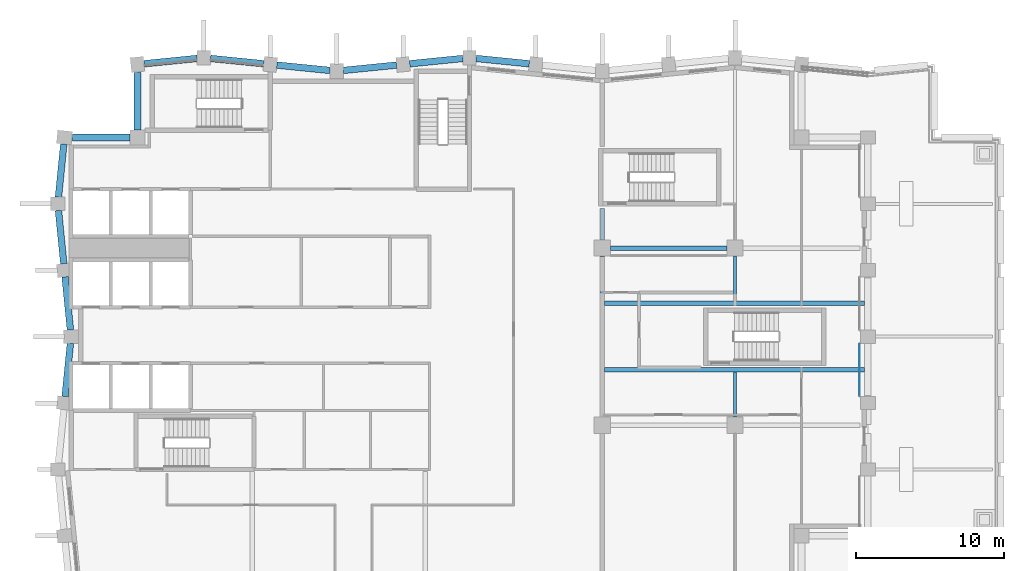
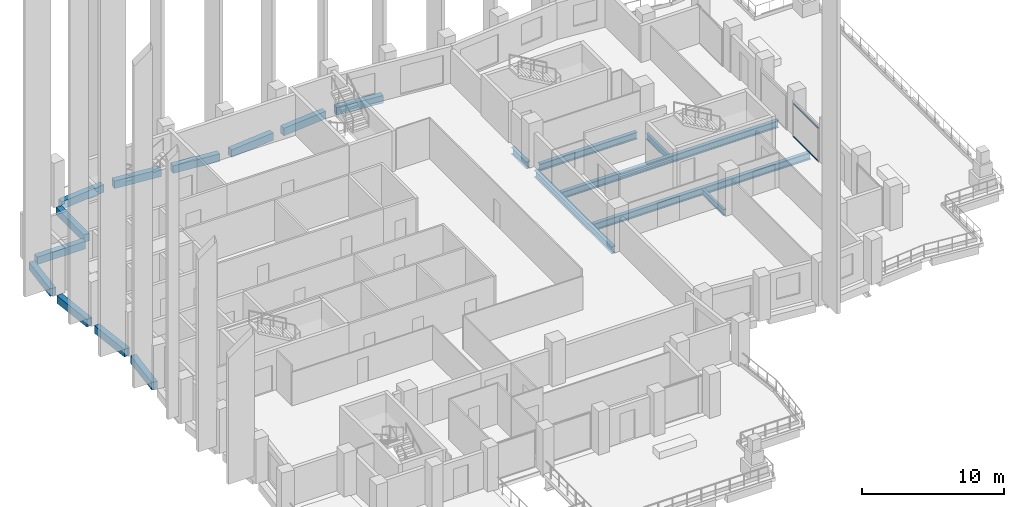
# One storey, part 7 of 19: 19 beams, 2 members, 1 element without a shape of its own.
"""IFC4 building model written with IfcOpenShell, lengths in metres."""

from ifc_helpers import new_model, si_unit, direction, frame, origin, origin_2d, place, context, subcontext, project, spatial, rectangle, i_section, extrude, material, material_profile, profile_set, type_object, element, aggregate, save


model = new_model("IFC4")

# Units and contexts
model_context = context("Model", 3, precision=1e-05, world=origin(), true_north=direction((0.0, 1.0)))
body_context = subcontext(model_context, "Body", "Model", "MODEL_VIEW")
ifc_project = project(units=[si_unit("LENGTHUNIT", "METRE"), si_unit("AREAUNIT", "SQUARE_METRE"), si_unit("VOLUMEUNIT", "CUBIC_METRE"), si_unit("PLANEANGLEUNIT", "RADIAN"), si_unit("MASSUNIT", "GRAM", prefix="KILO")], contexts=[model_context])

# Site, building, storey
site_placement = place(None, origin())
site = spatial("IfcSite", under=ifc_project, at=site_placement, CompositionType="ELEMENT")
building_placement = place(site_placement, origin())
building = spatial("IfcBuilding", under=site, at=building_placement, Name="Brondeck Convention Tower", CompositionType="ELEMENT")
storey_placement = place(building_placement, frame((0.0, 0.0, 198.800048828125)))
storey = spatial("IfcBuildingStorey", under=building, at=storey_placement, Name="L48", CompositionType="ELEMENT", Elevation=198.800048828125)

# Curtain wall, members
ifc_material_1 = material(Name="Aluminium, bronze anodised", Category="aluminium")
curtain_wall_type = type_object("IfcCurtainWallType", Name="Terrace door screen curtain wall", PredefinedType="NOTDEFINED", material=ifc_material_1)
curtain_wall_placement = place(storey_placement, origin())
curtain_wall = element("IfcCurtainWall", 1, at=curtain_wall_placement, inside=storey, type_object=curtain_wall_type, Name="ENV-CW6-L48-A-E54-03", PredefinedType="NOTDEFINED")
ifc_material_profile_1 = material_profile(ifc_material_1, rectangle(XDim=0.050048828125, YDim=0.10009765625, at=origin_2d()), Name="CW6 transom")
ifc_profile_set_1 = profile_set([ifc_material_profile_1], Name="Aluminium, bronze anodised")
member_type = type_object("IfcMemberType", Name="CW6 transom", PredefinedType="USERDEFINED", material=ifc_profile_set_1)
member_1_placement = place(storey_placement, frame((53.43994140625, 44.5, 0.02490234375), z_axis=(0.0, -1.0, 0.0), x_axis=(1.0, 0.0, 0.0)))
member_1 = element("IfcMember", 2, at=member_1_placement, type_object=member_type, Name="CW6 transom 1.1", ObjectType="TRANSOM", PredefinedType="USERDEFINED", context=body_context, shape_type="SweptSolid", body=[
    extrude(rectangle(XDim=0.050048828125, YDim=0.10009765625, at=origin_2d()), origin(), (0.0, 0.0, 1.0), 3.5),
])
member_2_placement = place(storey_placement, frame((53.43994140625, 44.5, 2.875), z_axis=(0.0, -1.0, 0.0), x_axis=(1.0, 0.0, 0.0)))
member_2 = element("IfcMember", 3, at=member_2_placement, type_object=member_type, Name="CW6 transom 1.2", ObjectType="TRANSOM", PredefinedType="USERDEFINED", context=body_context, shape_type="SweptSolid", body=[
    extrude(rectangle(XDim=0.050048828125, YDim=0.10009765625, at=origin_2d()), origin(), (0.0, 0.0, 1.0), 3.5),
])
aggregate(curtain_wall, [member_1, member_2])

# Beams
ifc_material_2 = material(Name="Steel S355", Category="steel")
ifc_material_profile_2 = material_profile(ifc_material_2, i_section(OverallWidth=0.199951171875, OverallDepth=0.5, WebThickness=0.01025390625, FlangeThickness=0.01611328125, FilletRadius=0.02099609375, at=origin_2d()), Name="IPE 500")
ifc_profile_set_2 = profile_set([ifc_material_profile_2], Name="Steel S355")
beam_type_1 = type_object("IfcBeamType", Name="Floor beam IPE 500", PredefinedType="BEAM", material=ifc_profile_set_2)
for number, where, z_axis, x_axis, name in (
    (4, (45.0, 39.550048828125, -0.550048828125), (0.0, 1.0, 0.0), (-1.0, 0.0, 0.0), "STR-FB-L48-003"),
    (5, (45.0, 47.39990234375, -0.550048828125), (0.0, 1.0, 0.0), (-1.0, 0.0, 0.0), "STR-FB-L48-004"),
):
    element("IfcBeam", number, at=place(storey_placement, frame(where, z_axis=z_axis, x_axis=x_axis)), inside=storey, type_object=beam_type_1, Name=name, PredefinedType="BEAM", context=body_context, shape_type="SweptSolid", body=[
        extrude(i_section(OverallWidth=0.199951171875, OverallDepth=0.5, WebThickness=0.01025390625, FlangeThickness=0.01611328125, FilletRadius=0.02099609375, at=origin_2d()), origin(), (0.0, 0.0, 1.0), 3.050048828125),
    ])
ifc_material_profile_3 = material_profile(ifc_material_2, i_section(OverallWidth=0.300048828125, OverallDepth=0.60009765625, WebThickness=0.015380859375, FlangeThickness=0.030029296875, FilletRadius=0.027099609375, at=origin_2d()), Name="HEB 600")
ifc_profile_set_3 = profile_set([ifc_material_profile_3], Name="Steel S355")
beam_type_2 = type_object("IfcBeamType", Name="Girder HEB 600", PredefinedType="BEAM", material=ifc_profile_set_3)
beam_1_placement = place(storey_placement, frame((36.550048828125, 51.0, -0.60009765625), z_axis=(1.0, 0.0, 0.0), x_axis=(0.0, 1.0, 0.0)))
element("IfcBeam", 6, at=beam_1_placement, inside=storey, type_object=beam_type_2, Name="STR-GR-L48-003", PredefinedType="BEAM", context=body_context, shape_type="SweptSolid", body=[
    extrude(i_section(OverallWidth=0.300048828125, OverallDepth=0.60009765625, WebThickness=0.015380859375, FlangeThickness=0.030029296875, FilletRadius=0.027099609375, at=origin_2d()), origin(), (0.0, 0.0, 1.0), 7.89990234375),
])
beam_2_placement = place(storey_placement, frame((36.0, 39.550048828125, -0.60009765625), z_axis=(0.0, 1.0, 0.0), x_axis=(-1.0, 0.0, 0.0)))
element("IfcBeam", 7, at=beam_2_placement, inside=storey, type_object=beam_type_2, Name="STR-GR-L48-006", PredefinedType="BEAM", context=body_context, shape_type="SweptSolid", body=[
    extrude(i_section(OverallWidth=0.300048828125, OverallDepth=0.60009765625, WebThickness=0.015380859375, FlangeThickness=0.030029296875, FilletRadius=0.027099609375, at=origin_2d()), origin(), (0.0, 0.0, 1.0), 10.89990234375),
])
beam_3_placement = place(storey_placement, frame((36.0, 51.550048828125, -0.60009765625), z_axis=(0.0, 1.0, 0.0), x_axis=(-1.0, 0.0, 0.0)))
element("IfcBeam", 8, at=beam_3_placement, inside=storey, type_object=beam_type_2, Name="STR-GR-L48-007", PredefinedType="BEAM", context=body_context, shape_type="SweptSolid", body=[
    extrude(i_section(OverallWidth=0.300048828125, OverallDepth=0.60009765625, WebThickness=0.015380859375, FlangeThickness=0.030029296875, FilletRadius=0.027099609375, at=origin_2d()), origin(), (0.0, 0.0, 1.0), 2.14990234375),
])
for number, where, z_axis, x_axis, name in (
    (9, (36.14990234375, 42.75, -0.60009765625), (1.0, 0.0, 0.0), (0.0, 1.0, 0.0), "STR-GR-L48-016"),
    (10, (36.14990234375, 47.25, -0.60009765625), (1.0, 0.0, 0.0), (0.0, 1.0, 0.0), "STR-GR-L48-017"),
):
    element("IfcBeam", number, at=place(storey_placement, frame(where, z_axis=z_axis, x_axis=x_axis)), inside=storey, type_object=beam_type_2, Name=name, PredefinedType="BEAM", context=body_context, shape_type="SweptSolid", body=[
        extrude(i_section(OverallWidth=0.300048828125, OverallDepth=0.60009765625, WebThickness=0.015380859375, FlangeThickness=0.030029296875, FilletRadius=0.027099609375, at=origin_2d()), origin(), (0.0, 0.0, 1.0), 17.625),
    ])
ifc_material_3 = material(Name="Concrete C50/60", Category="concrete")
ifc_material_profile_4 = material_profile(ifc_material_3, rectangle(XDim=0.449951171875, YDim=0.64990234375, at=origin_2d()), Name="Precast spandrel 450x650 Concrete C50/60")
ifc_profile_set_4 = profile_set([ifc_material_profile_4], Name="Concrete C50/60")
beam_type_3 = type_object("IfcBeamType", Name="Precast spandrel 450x650 Concrete C50/60", PredefinedType="SPANDREL", material=ifc_profile_set_4)
for number, where, z_axis, x_axis, name in (
    (11, (31.05224609375, 63.494873046875, -0.324951171875), (-0.995040528141, 0.099470334057, 0.0), (-0.099470334057, -0.995040528141, 0.0), "STR-SP-L48-009"),
    (12, (26.550048828125, 63.85498046875, -0.324951171875), (-0.995040528141, -0.099470334057, 0.0), (0.099470334057, -0.995040528141, 0.0), "STR-SP-L48-010"),
    (13, (22.05224609375, 63.4052734375, -0.324951171875), (-0.995033851182, -0.099537103649, 0.0), (0.099537103649, -0.995033851182, 0.0), "STR-SP-L48-011"),
    (14, (17.550048828125, 63.044921875, -0.324951171875), (-0.995033851182, 0.099537103649, 0.0), (-0.099537103649, -0.995033851182, 0.0), "STR-SP-L48-012"),
    (15, (13.05224609375, 63.494873046875, -0.324951171875), (-0.995040528141, 0.099470334057, 0.0), (-0.099470334057, -0.995040528141, 0.0), "STR-SP-L48-013"),
    (16, (8.550048828125, 63.85498046875, -0.324951171875), (-0.995040528141, -0.099470334057, 0.0), (0.099470334057, -0.995040528141, 0.0), "STR-SP-L48-014"),
):
    element("IfcBeam", number, at=place(storey_placement, frame(where, z_axis=z_axis, x_axis=x_axis)), inside=storey, type_object=beam_type_3, Name=name, PredefinedType="SPANDREL", context=body_context, shape_type="SweptSolid", body=[
        extrude(rectangle(XDim=0.449951171875, YDim=0.64990234375, at=origin_2d()), origin(), (0.0, 0.0, 1.0), 3.620361328125),
    ])
for number, where, z_axis, x_axis, name in (
    (17, (4.5, 62.897216796875, -0.324951171875), (0.0, -1.0, 0.0), (1.0, 0.0, 0.0), "STR-SP-L48-015"),
    (18, (4.0, 58.5, -0.324951171875), (-1.0, 0.0, 0.0), (0.0, -1.0, 0.0), "STR-SP-L48-016"),
):
    element("IfcBeam", number, at=place(storey_placement, frame(where, z_axis=z_axis, x_axis=x_axis)), inside=storey, type_object=beam_type_3, Name=name, PredefinedType="SPANDREL", context=body_context, shape_type="SweptSolid", body=[
        extrude(rectangle(XDim=0.449951171875, YDim=0.64990234375, at=origin_2d()), origin(), (0.0, 0.0, 1.0), 3.897216796875),
    ])
for number, where, z_axis, x_axis, name in (
    (19, (-0.494873046875, 58.05224609375, -0.324951171875), (-0.099470334057, -0.995040528141, 0.0), (0.995040528141, -0.099470334057, 0.0), "STR-SP-L48-017"),
    (20, (-0.85498046875, 53.550048828125, -0.324951171875), (0.099470334057, -0.995040528141, 0.0), (0.995040528141, 0.099470334057, 0.0), "STR-SP-L48-018"),
    (21, (-0.4052734375, 49.05224609375, -0.324951171875), (0.099537103649, -0.995033851182, 0.0), (0.995033851182, 0.099537103649, 0.0), "STR-SP-L48-019"),
    (22, (-0.044921875, 44.550048828125, -0.324951171875), (-0.099537103649, -0.995033851182, 0.0), (0.995033851182, -0.099537103649, 0.0), "STR-SP-L48-020"),
):
    element("IfcBeam", number, at=place(storey_placement, frame(where, z_axis=z_axis, x_axis=x_axis)), inside=storey, type_object=beam_type_3, Name=name, PredefinedType="SPANDREL", context=body_context, shape_type="SweptSolid", body=[
        extrude(rectangle(XDim=0.449951171875, YDim=0.64990234375, at=origin_2d()), origin(), (0.0, 0.0, 1.0), 3.620361328125),
    ])

save(model, "model.ifc")
